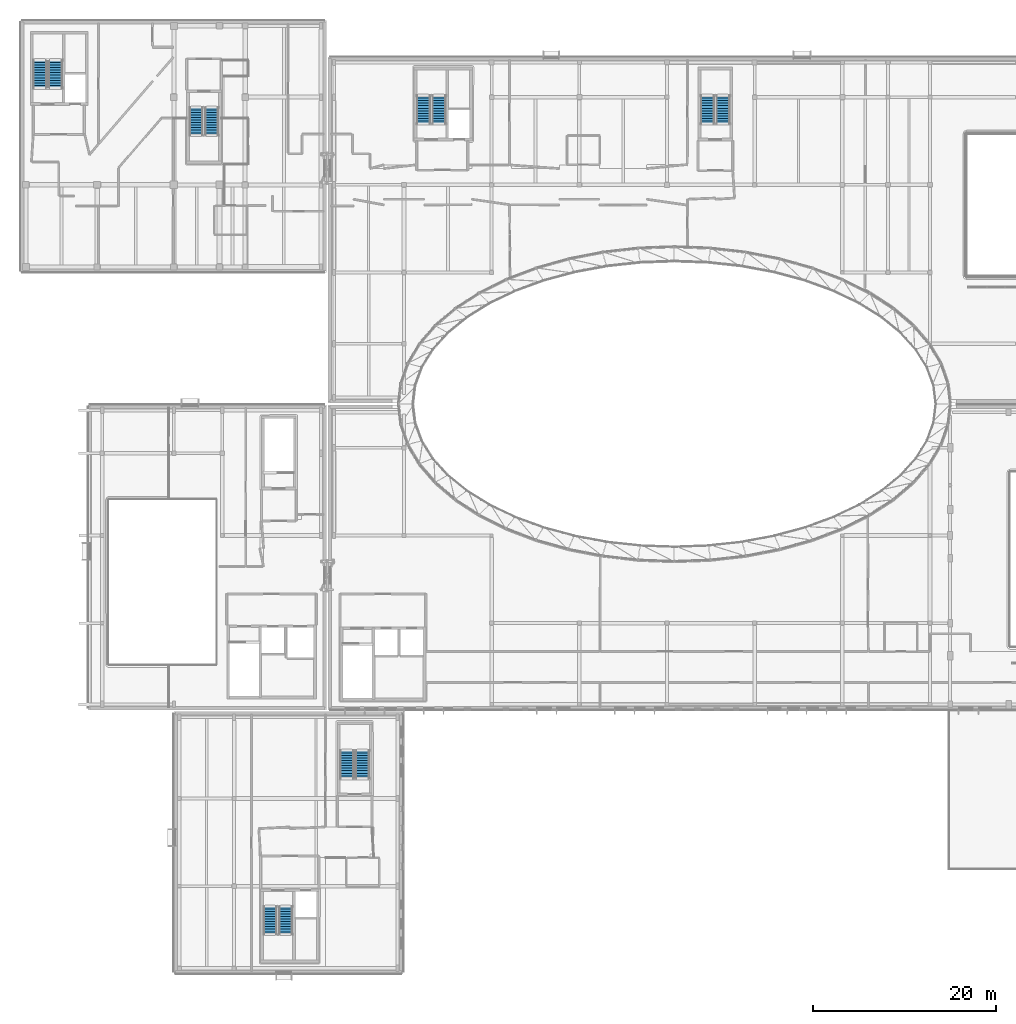
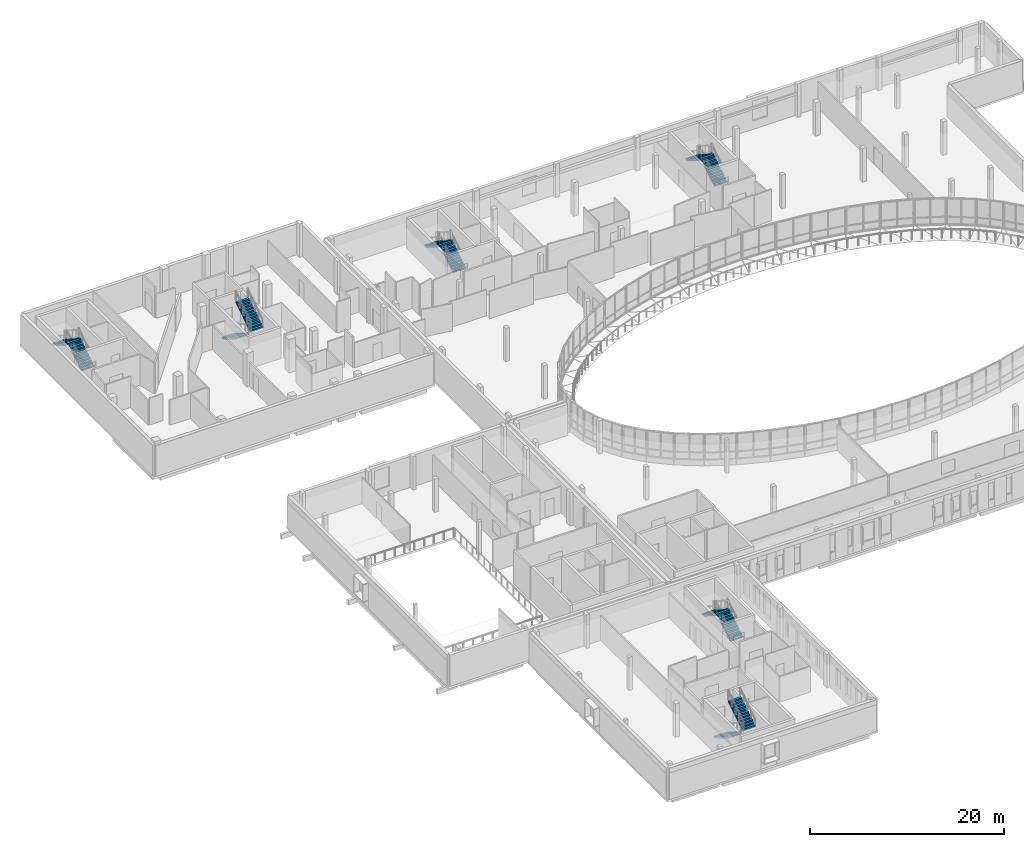
# One storey, part 49 of 73: 12 stair flights, 6 elements without a shape of their own.
"""IFC4 building model written with IfcOpenShell, lengths in metres."""

from ifc_helpers import new_model, si_unit, direction, frame, origin, place, context, subcontext, project, spatial, polyline, outline, extrude, material, type_object, element, aggregate, save


model = new_model("IFC4")

# Units and contexts
model_context = context("Model", 3, precision=1e-05, world=origin(), true_north=direction((0.0, 1.0)))
body_context = subcontext(model_context, "Body", "Model", "MODEL_VIEW")
ifc_project = project(units=[si_unit("LENGTHUNIT", "METRE"), si_unit("AREAUNIT", "SQUARE_METRE"), si_unit("VOLUMEUNIT", "CUBIC_METRE"), si_unit("PLANEANGLEUNIT", "RADIAN"), si_unit("MASSUNIT", "GRAM", prefix="KILO")], contexts=[model_context])

# Site, building, storey
site_placement = place(None, origin())
site = spatial("IfcSite", under=ifc_project, at=site_placement, CompositionType="ELEMENT")
building_placement = place(site_placement, origin())
building = spatial("IfcBuilding", under=site, at=building_placement, Name="Mzevani Central Library", CompositionType="ELEMENT")
storey_placement = place(building_placement, frame((0.0, 0.0, 9.60009765625)))
storey = spatial("IfcBuildingStorey", under=building, at=storey_placement, Name="L02", CompositionType="ELEMENT", Elevation=9.60009765625)

# Stair, stair flights
ifc_material = material(Name="Concrete C35/45", Category="concrete")
stair_type = type_object("IfcStairType", Name="Dogleg Exit Stair 175x280", PredefinedType="HALF_TURN_STAIR", material=ifc_material)
stair_1_placement = place(storey_placement, origin())
stair_1 = element("IfcStair", 1, at=stair_1_placement, inside=storey, type_object=stair_type, Name="L02 Core C2A North-West Firefighting Core Exit Stair ST-02", PredefinedType="HALF_TURN_STAIR")
stair_flight_type = type_object("IfcStairFlightType", Name="Reinforced Concrete Stair Flight 175x280", PredefinedType="STRAIGHT", material=ifc_material)
stair_flight_1_placement = place(storey_placement, frame((16.25, 110.60009765625, 0.0), z_axis=(0.0, 0.0, 1.0), x_axis=(0.0, 1.0, 0.0)))
stair_flight_1 = element("IfcStairFlight", 2, at=stair_flight_1_placement, type_object=stair_flight_type, Name="ST-03 flight 1", NumberOfRisers=12, NumberOfTreads=11, PredefinedType="STRAIGHT", RiserHeight=0.175, TreadLength=0.28, context=body_context, shape_type="SweptSolid", body=[
    extrude(outline(polyline([(0.0, 0.0), (0.0, 0.175048828125), (0.280029296875, 0.175048828125), (0.280029296875, 0.35009765625), (0.56005859375, 0.35009765625), (0.56005859375, 0.52490234375), (0.840087890625, 0.52490234375), (0.840087890625, 0.699951171875), (1.1201171875, 0.699951171875), (1.1201171875, 0.875), (1.39990234375, 0.875), (1.39990234375, 1.050048828125), (1.679931640625, 1.050048828125), (1.679931640625, 1.22509765625), (1.9599609375, 1.22509765625), (1.9599609375, 1.39990234375), (2.239990234375, 1.39990234375), (2.239990234375, 1.574951171875), (2.52001953125, 1.574951171875), (2.52001953125, 1.75), (2.800048828125, 1.75), (2.800048828125, 1.925048828125), (3.080078125, 1.925048828125), (3.080078125, 2.10009765625), (3.080078125, 1.736328125), (0.3017578125, 0.0), (0.0, 0.0)])), frame((0.0, 0.75, 0.0), z_axis=(0.0, -1.0, 0.0), x_axis=(1.0, 0.0, 0.0)), (0.0, 0.0, 1.0), 1.5),
])
stair_flight_2_placement = place(storey_placement, frame((14.550048828125, 113.679931640625, 2.099853515625), z_axis=(0.0, 0.0, 1.0), x_axis=(0.0, -1.0, 0.0)))
stair_flight_2 = element("IfcStairFlight", 3, at=stair_flight_2_placement, type_object=stair_flight_type, Name="ST-03 flight 2", NumberOfRisers=12, NumberOfTreads=11, PredefinedType="STRAIGHT", RiserHeight=0.175, TreadLength=0.28, context=body_context, shape_type="SweptSolid", body=[
    extrude(outline(polyline([(0.0, 0.0), (0.0, 0.175048828125), (0.280029296875, 0.175048828125), (0.280029296875, 0.35009765625), (0.56005859375, 0.35009765625), (0.56005859375, 0.52490234375), (0.840087890625, 0.52490234375), (0.840087890625, 0.699951171875), (1.1201171875, 0.699951171875), (1.1201171875, 0.875), (1.39990234375, 0.875), (1.39990234375, 1.050048828125), (1.679931640625, 1.050048828125), (1.679931640625, 1.22509765625), (1.9599609375, 1.22509765625), (1.9599609375, 1.39990234375), (2.239990234375, 1.39990234375), (2.239990234375, 1.574951171875), (2.52001953125, 1.574951171875), (2.52001953125, 1.75), (2.800048828125, 1.75), (2.800048828125, 1.925048828125), (3.080078125, 1.925048828125), (3.080078125, 2.10009765625), (3.080078125, 1.736328125), (0.3017578125, 0.0), (0.0, 0.0)])), frame((0.0, 0.75, 0.0), z_axis=(0.0, -1.0, 0.0), x_axis=(1.0, 0.0, 0.0)), (0.0, 0.0, 1.0), 1.5),
])
aggregate(stair_1, [stair_flight_1, stair_flight_2])

stair_2_placement = place(storey_placement, origin())
stair_2 = element("IfcStair", 4, at=stair_2_placement, inside=storey, type_object=stair_type, Name="L02 Core C2B Stacks East Escape Stair Exit Stair ST-02", PredefinedType="HALF_TURN_STAIR")
stair_flight_3_placement = place(storey_placement, frame((31.64990234375, 108.5, 0.0), z_axis=(0.0, 0.0, 1.0), x_axis=(0.0, -1.0, 0.0)))
stair_flight_3 = element("IfcStairFlight", 5, at=stair_flight_3_placement, type_object=stair_flight_type, Name="ST-04 flight 1", NumberOfRisers=12, NumberOfTreads=11, PredefinedType="STRAIGHT", RiserHeight=0.175, TreadLength=0.28, context=body_context, shape_type="SweptSolid", body=[
    extrude(outline(polyline([(0.0, 0.0), (0.0, 0.175048828125), (0.280029296875, 0.175048828125), (0.280029296875, 0.35009765625), (0.56005859375, 0.35009765625), (0.56005859375, 0.52490234375), (0.840087890625, 0.52490234375), (0.840087890625, 0.699951171875), (1.1201171875, 0.699951171875), (1.1201171875, 0.875), (1.39990234375, 0.875), (1.39990234375, 1.050048828125), (1.679931640625, 1.050048828125), (1.679931640625, 1.22509765625), (1.9599609375, 1.22509765625), (1.9599609375, 1.39990234375), (2.239990234375, 1.39990234375), (2.239990234375, 1.574951171875), (2.52001953125, 1.574951171875), (2.52001953125, 1.75), (2.800048828125, 1.75), (2.800048828125, 1.925048828125), (3.080078125, 1.925048828125), (3.080078125, 2.10009765625), (3.080078125, 1.736328125), (0.3017578125, 0.0), (0.0, 0.0)])), frame((0.0, 0.75, 0.0), z_axis=(0.0, -1.0, 0.0), x_axis=(1.0, 0.0, 0.0)), (0.0, 0.0, 1.0), 1.5),
])
stair_flight_4_placement = place(storey_placement, frame((33.35009765625, 105.419921875, 2.099853515625), z_axis=(0.0, 0.0, 1.0), x_axis=(0.0, 1.0, 0.0)))
stair_flight_4 = element("IfcStairFlight", 6, at=stair_flight_4_placement, type_object=stair_flight_type, Name="ST-04 flight 2", NumberOfRisers=12, NumberOfTreads=11, PredefinedType="STRAIGHT", RiserHeight=0.175, TreadLength=0.28, context=body_context, shape_type="SweptSolid", body=[
    extrude(outline(polyline([(0.0, 0.0), (0.0, 0.175048828125), (0.280029296875, 0.175048828125), (0.280029296875, 0.35009765625), (0.56005859375, 0.35009765625), (0.56005859375, 0.52490234375), (0.840087890625, 0.52490234375), (0.840087890625, 0.699951171875), (1.1201171875, 0.699951171875), (1.1201171875, 0.875), (1.39990234375, 0.875), (1.39990234375, 1.050048828125), (1.679931640625, 1.050048828125), (1.679931640625, 1.22509765625), (1.9599609375, 1.22509765625), (1.9599609375, 1.39990234375), (2.239990234375, 1.39990234375), (2.239990234375, 1.574951171875), (2.52001953125, 1.574951171875), (2.52001953125, 1.75), (2.800048828125, 1.75), (2.800048828125, 1.925048828125), (3.080078125, 1.925048828125), (3.080078125, 2.10009765625), (3.080078125, 1.736328125), (0.3017578125, 0.0), (0.0, 0.0)])), frame((0.0, 0.75, 0.0), z_axis=(0.0, -1.0, 0.0), x_axis=(1.0, 0.0, 0.0)), (0.0, 0.0, 1.0), 1.5),
])
aggregate(stair_2, [stair_flight_3, stair_flight_4])

stair_3_placement = place(storey_placement, origin())
stair_3 = element("IfcStair", 7, at=stair_3_placement, inside=storey, type_object=stair_type, Name="L02 Core C3A North-East Firefighting Core Exit Stair ST-02", PredefinedType="HALF_TURN_STAIR")
stair_flight_5_placement = place(storey_placement, frame((58.25, 106.699951171875, 0.0), z_axis=(0.0, 0.0, 1.0), x_axis=(0.0, 1.0, 0.0)))
stair_flight_5 = element("IfcStairFlight", 8, at=stair_flight_5_placement, type_object=stair_flight_type, Name="ST-05 flight 1", NumberOfRisers=12, NumberOfTreads=11, PredefinedType="STRAIGHT", RiserHeight=0.175, TreadLength=0.28, context=body_context, shape_type="SweptSolid", body=[
    extrude(outline(polyline([(0.0, 0.0), (0.0, 0.175048828125), (0.280029296875, 0.175048828125), (0.280029296875, 0.35009765625), (0.56005859375, 0.35009765625), (0.56005859375, 0.52490234375), (0.840087890625, 0.52490234375), (0.840087890625, 0.699951171875), (1.1201171875, 0.699951171875), (1.1201171875, 0.875), (1.39990234375, 0.875), (1.39990234375, 1.050048828125), (1.679931640625, 1.050048828125), (1.679931640625, 1.22509765625), (1.9599609375, 1.22509765625), (1.9599609375, 1.39990234375), (2.239990234375, 1.39990234375), (2.239990234375, 1.574951171875), (2.52001953125, 1.574951171875), (2.52001953125, 1.75), (2.800048828125, 1.75), (2.800048828125, 1.925048828125), (3.080078125, 1.925048828125), (3.080078125, 2.10009765625), (3.080078125, 1.736328125), (0.3017578125, 0.0), (0.0, 0.0)])), frame((0.0, 0.75, 0.0), z_axis=(0.0, -1.0, 0.0), x_axis=(1.0, 0.0, 0.0)), (0.0, 0.0, 1.0), 1.5),
])
stair_flight_6_placement = place(storey_placement, frame((56.550048828125, 109.780029296875, 2.099853515625), z_axis=(0.0, 0.0, 1.0), x_axis=(0.0, -1.0, 0.0)))
stair_flight_6 = element("IfcStairFlight", 9, at=stair_flight_6_placement, type_object=stair_flight_type, Name="ST-05 flight 2", NumberOfRisers=12, NumberOfTreads=11, PredefinedType="STRAIGHT", RiserHeight=0.175, TreadLength=0.28, context=body_context, shape_type="SweptSolid", body=[
    extrude(outline(polyline([(0.0, 0.0), (0.0, 0.175048828125), (0.280029296875, 0.175048828125), (0.280029296875, 0.35009765625), (0.56005859375, 0.35009765625), (0.56005859375, 0.52490234375), (0.840087890625, 0.52490234375), (0.840087890625, 0.699951171875), (1.1201171875, 0.699951171875), (1.1201171875, 0.875), (1.39990234375, 0.875), (1.39990234375, 1.050048828125), (1.679931640625, 1.050048828125), (1.679931640625, 1.22509765625), (1.9599609375, 1.22509765625), (1.9599609375, 1.39990234375), (2.239990234375, 1.39990234375), (2.239990234375, 1.574951171875), (2.52001953125, 1.574951171875), (2.52001953125, 1.75), (2.800048828125, 1.75), (2.800048828125, 1.925048828125), (3.080078125, 1.925048828125), (3.080078125, 2.10009765625), (3.080078125, 1.736328125), (0.3017578125, 0.0), (0.0, 0.0)])), frame((0.0, 0.75, 0.0), z_axis=(0.0, -1.0, 0.0), x_axis=(1.0, 0.0, 0.0)), (0.0, 0.0, 1.0), 1.5),
])
aggregate(stair_3, [stair_flight_5, stair_flight_6])

stair_4_placement = place(storey_placement, origin())
stair_4 = element("IfcStair", 10, at=stair_4_placement, inside=storey, type_object=stair_type, Name="L02 Core C3B Atrium East Escape Stair Exit Stair ST-02", PredefinedType="HALF_TURN_STAIR")
stair_flight_7_placement = place(storey_placement, frame((89.35009765625, 106.699951171875, 0.0), z_axis=(0.0, 0.0, 1.0), x_axis=(0.0, 1.0, 0.0)))
stair_flight_7 = element("IfcStairFlight", 11, at=stair_flight_7_placement, type_object=stair_flight_type, Name="ST-06 flight 1", NumberOfRisers=12, NumberOfTreads=11, PredefinedType="STRAIGHT", RiserHeight=0.175, TreadLength=0.28, context=body_context, shape_type="SweptSolid", body=[
    extrude(outline(polyline([(0.0, 0.0), (0.0, 0.175048828125), (0.280029296875, 0.175048828125), (0.280029296875, 0.35009765625), (0.56005859375, 0.35009765625), (0.56005859375, 0.52490234375), (0.840087890625, 0.52490234375), (0.840087890625, 0.699951171875), (1.1201171875, 0.699951171875), (1.1201171875, 0.875), (1.39990234375, 0.875), (1.39990234375, 1.050048828125), (1.679931640625, 1.050048828125), (1.679931640625, 1.22509765625), (1.9599609375, 1.22509765625), (1.9599609375, 1.39990234375), (2.239990234375, 1.39990234375), (2.239990234375, 1.574951171875), (2.52001953125, 1.574951171875), (2.52001953125, 1.75), (2.800048828125, 1.75), (2.800048828125, 1.925048828125), (3.080078125, 1.925048828125), (3.080078125, 2.10009765625), (3.080078125, 1.736328125), (0.3017578125, 0.0), (0.0, 0.0)])), frame((0.0, 0.75, 0.0), z_axis=(0.0, -1.0, 0.0), x_axis=(1.0, 0.0, 0.0)), (0.0, 0.0, 1.0), 1.5),
])
stair_flight_8_placement = place(storey_placement, frame((87.64990234375, 109.780029296875, 2.099853515625), z_axis=(0.0, 0.0, 1.0), x_axis=(0.0, -1.0, 0.0)))
stair_flight_8 = element("IfcStairFlight", 12, at=stair_flight_8_placement, type_object=stair_flight_type, Name="ST-06 flight 2", NumberOfRisers=12, NumberOfTreads=11, PredefinedType="STRAIGHT", RiserHeight=0.175, TreadLength=0.28, context=body_context, shape_type="SweptSolid", body=[
    extrude(outline(polyline([(0.0, 0.0), (0.0, 0.175048828125), (0.280029296875, 0.175048828125), (0.280029296875, 0.35009765625), (0.56005859375, 0.35009765625), (0.56005859375, 0.52490234375), (0.840087890625, 0.52490234375), (0.840087890625, 0.699951171875), (1.1201171875, 0.699951171875), (1.1201171875, 0.875), (1.39990234375, 0.875), (1.39990234375, 1.050048828125), (1.679931640625, 1.050048828125), (1.679931640625, 1.22509765625), (1.9599609375, 1.22509765625), (1.9599609375, 1.39990234375), (2.239990234375, 1.39990234375), (2.239990234375, 1.574951171875), (2.52001953125, 1.574951171875), (2.52001953125, 1.75), (2.800048828125, 1.75), (2.800048828125, 1.925048828125), (3.080078125, 1.925048828125), (3.080078125, 2.10009765625), (3.080078125, 1.736328125), (0.3017578125, 0.0), (0.0, 0.0)])), frame((0.0, 0.75, 0.0), z_axis=(0.0, -1.0, 0.0), x_axis=(1.0, 0.0, 0.0)), (0.0, 0.0, 1.0), 1.5),
])
aggregate(stair_4, [stair_flight_7, stair_flight_8])

stair_5_placement = place(storey_placement, origin())
stair_5 = element("IfcStair", 13, at=stair_5_placement, inside=storey, type_object=stair_type, Name="L02 Core C4A Cultural Wing Core Exit Stair ST-02", PredefinedType="HALF_TURN_STAIR")
stair_flight_9_placement = place(storey_placement, frame((39.75, 21.0, 0.0), z_axis=(0.0, 0.0, 1.0), x_axis=(0.0, -1.0, 0.0)))
stair_flight_9 = element("IfcStairFlight", 14, at=stair_flight_9_placement, type_object=stair_flight_type, Name="ST-07 flight 1", NumberOfRisers=12, NumberOfTreads=11, PredefinedType="STRAIGHT", RiserHeight=0.175, TreadLength=0.28, context=body_context, shape_type="SweptSolid", body=[
    extrude(outline(polyline([(0.0, 0.0), (0.0, 0.175048828125), (0.280029296875, 0.175048828125), (0.280029296875, 0.35009765625), (0.56005859375, 0.35009765625), (0.56005859375, 0.52490234375), (0.840087890625, 0.52490234375), (0.840087890625, 0.699951171875), (1.1201171875, 0.699951171875), (1.1201171875, 0.875), (1.39990234375, 0.875), (1.39990234375, 1.050048828125), (1.679931640625, 1.050048828125), (1.679931640625, 1.22509765625), (1.9599609375, 1.22509765625), (1.9599609375, 1.39990234375), (2.239990234375, 1.39990234375), (2.239990234375, 1.574951171875), (2.52001953125, 1.574951171875), (2.52001953125, 1.75), (2.800048828125, 1.75), (2.800048828125, 1.925048828125), (3.080078125, 1.925048828125), (3.080078125, 2.10009765625), (3.080078125, 1.736328125), (0.3017578125, 0.0), (0.0, 0.0)])), frame((0.0, 0.75, 0.0), z_axis=(0.0, -1.0, 0.0), x_axis=(1.0, 0.0, 0.0)), (0.0, 0.0, 1.0), 1.5),
])
stair_flight_10_placement = place(storey_placement, frame((41.449951171875, 17.919921875, 2.099853515625), z_axis=(0.0, 0.0, 1.0), x_axis=(0.0, 1.0, 0.0)))
stair_flight_10 = element("IfcStairFlight", 15, at=stair_flight_10_placement, type_object=stair_flight_type, Name="ST-07 flight 2", NumberOfRisers=12, NumberOfTreads=11, PredefinedType="STRAIGHT", RiserHeight=0.175, TreadLength=0.28, context=body_context, shape_type="SweptSolid", body=[
    extrude(outline(polyline([(0.0, 0.0), (0.0, 0.175048828125), (0.280029296875, 0.175048828125), (0.280029296875, 0.35009765625), (0.56005859375, 0.35009765625), (0.56005859375, 0.52490234375), (0.840087890625, 0.52490234375), (0.840087890625, 0.699951171875), (1.1201171875, 0.699951171875), (1.1201171875, 0.875), (1.39990234375, 0.875), (1.39990234375, 1.050048828125), (1.679931640625, 1.050048828125), (1.679931640625, 1.22509765625), (1.9599609375, 1.22509765625), (1.9599609375, 1.39990234375), (2.239990234375, 1.39990234375), (2.239990234375, 1.574951171875), (2.52001953125, 1.574951171875), (2.52001953125, 1.75), (2.800048828125, 1.75), (2.800048828125, 1.925048828125), (3.080078125, 1.925048828125), (3.080078125, 2.10009765625), (3.080078125, 1.736328125), (0.3017578125, 0.0), (0.0, 0.0)])), frame((0.0, 0.75, 0.0), z_axis=(0.0, -1.0, 0.0), x_axis=(1.0, 0.0, 0.0)), (0.0, 0.0, 1.0), 1.5),
])
aggregate(stair_5, [stair_flight_9, stair_flight_10])

stair_6_placement = place(storey_placement, origin())
stair_6 = element("IfcStair", 16, at=stair_6_placement, inside=storey, type_object=stair_type, Name="L02 Core C4B Square South Escape Stair Exit Stair ST-02", PredefinedType="HALF_TURN_STAIR")
stair_flight_11_placement = place(storey_placement, frame((49.85009765625, 35.0, 0.0), z_axis=(0.0, 0.0, 1.0), x_axis=(0.0, 1.0, 0.0)))
stair_flight_11 = element("IfcStairFlight", 17, at=stair_flight_11_placement, type_object=stair_flight_type, Name="ST-08 flight 1", NumberOfRisers=12, NumberOfTreads=11, PredefinedType="STRAIGHT", RiserHeight=0.175, TreadLength=0.28, context=body_context, shape_type="SweptSolid", body=[
    extrude(outline(polyline([(0.0, 0.0), (0.0, 0.175048828125), (0.280029296875, 0.175048828125), (0.280029296875, 0.35009765625), (0.56005859375, 0.35009765625), (0.56005859375, 0.52490234375), (0.840087890625, 0.52490234375), (0.840087890625, 0.699951171875), (1.1201171875, 0.699951171875), (1.1201171875, 0.875), (1.39990234375, 0.875), (1.39990234375, 1.050048828125), (1.679931640625, 1.050048828125), (1.679931640625, 1.22509765625), (1.9599609375, 1.22509765625), (1.9599609375, 1.39990234375), (2.239990234375, 1.39990234375), (2.239990234375, 1.574951171875), (2.52001953125, 1.574951171875), (2.52001953125, 1.75), (2.800048828125, 1.75), (2.800048828125, 1.925048828125), (3.080078125, 1.925048828125), (3.080078125, 2.10009765625), (3.080078125, 1.736328125), (0.3017578125, 0.0), (0.0, 0.0)])), frame((0.0, 0.75, 0.0), z_axis=(0.0, -1.0, 0.0), x_axis=(1.0, 0.0, 0.0)), (0.0, 0.0, 1.0), 1.5),
])
stair_flight_12_placement = place(storey_placement, frame((48.14990234375, 38.080078125, 2.099853515625), z_axis=(0.0, 0.0, 1.0), x_axis=(0.0, -1.0, 0.0)))
stair_flight_12 = element("IfcStairFlight", 18, at=stair_flight_12_placement, type_object=stair_flight_type, Name="ST-08 flight 2", NumberOfRisers=12, NumberOfTreads=11, PredefinedType="STRAIGHT", RiserHeight=0.175, TreadLength=0.28, context=body_context, shape_type="SweptSolid", body=[
    extrude(outline(polyline([(0.0, 0.0), (0.0, 0.175048828125), (0.280029296875, 0.175048828125), (0.280029296875, 0.35009765625), (0.56005859375, 0.35009765625), (0.56005859375, 0.52490234375), (0.840087890625, 0.52490234375), (0.840087890625, 0.699951171875), (1.1201171875, 0.699951171875), (1.1201171875, 0.875), (1.39990234375, 0.875), (1.39990234375, 1.050048828125), (1.679931640625, 1.050048828125), (1.679931640625, 1.22509765625), (1.9599609375, 1.22509765625), (1.9599609375, 1.39990234375), (2.239990234375, 1.39990234375), (2.239990234375, 1.574951171875), (2.52001953125, 1.574951171875), (2.52001953125, 1.75), (2.800048828125, 1.75), (2.800048828125, 1.925048828125), (3.080078125, 1.925048828125), (3.080078125, 2.10009765625), (3.080078125, 1.736328125), (0.3017578125, 0.0), (0.0, 0.0)])), frame((0.0, 0.75, 0.0), z_axis=(0.0, -1.0, 0.0), x_axis=(1.0, 0.0, 0.0)), (0.0, 0.0, 1.0), 1.5),
])
aggregate(stair_6, [stair_flight_11, stair_flight_12])

save(model, "model.ifc")
